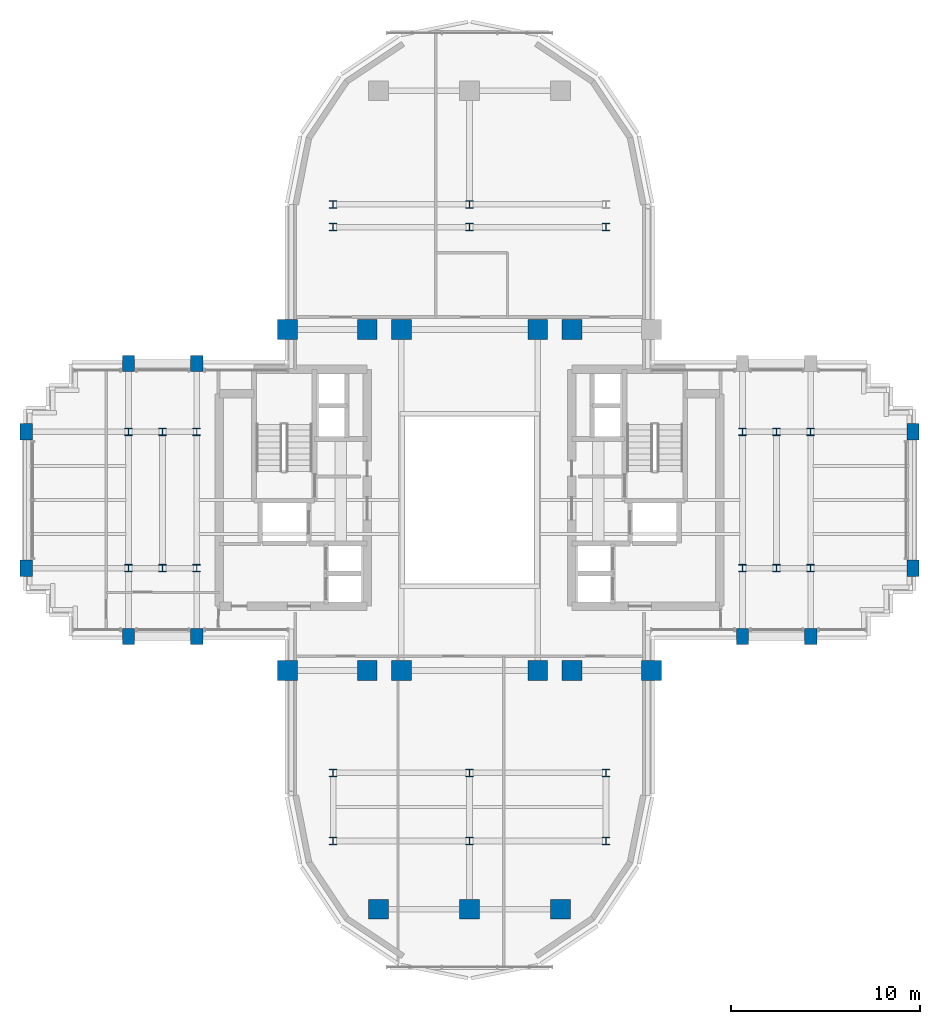
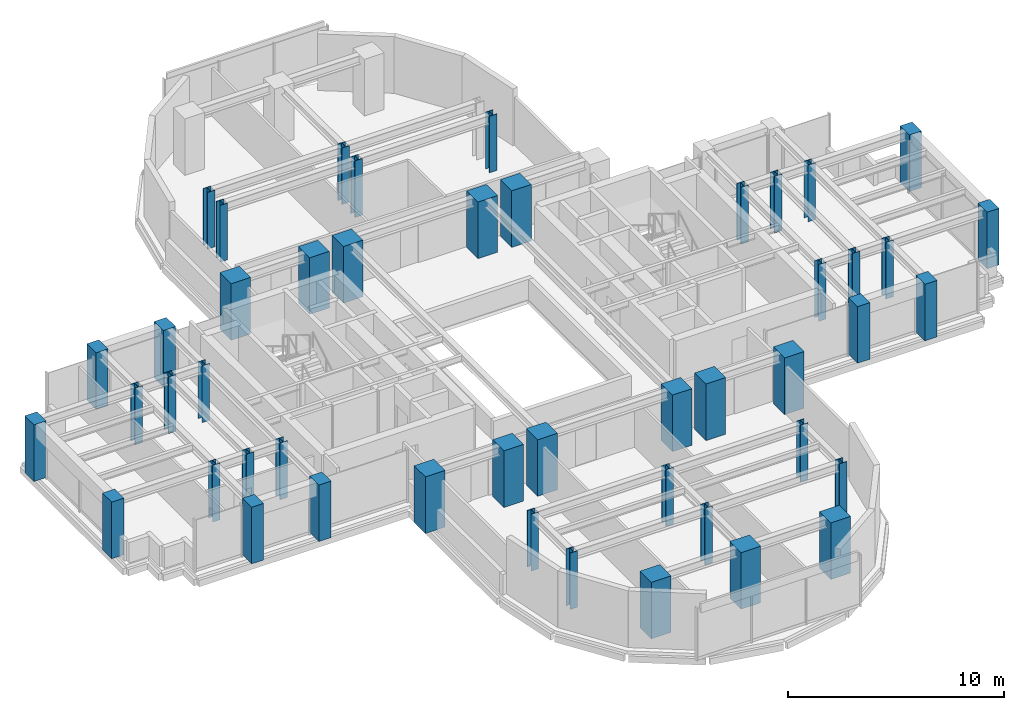
# One storey, part 1 of 13: 47 columns.
"""IFC4 building model written with IfcOpenShell, lengths in metres."""

from ifc_helpers import new_model, si_unit, direction, frame, origin, origin_2d, place, context, subcontext, project, spatial, rectangle, i_section, extrude, source, transform, mapped, material, material_profile, profile_set, type_object, element, save


model = new_model("IFC4")

# Units and contexts
model_context = context("Model", 3, precision=1e-05, world=origin(), true_north=direction((0.0, 1.0)))
body_context = subcontext(model_context, "Body", "Model", "MODEL_VIEW")
ifc_project = project(units=[si_unit("LENGTHUNIT", "METRE"), si_unit("AREAUNIT", "SQUARE_METRE"), si_unit("VOLUMEUNIT", "CUBIC_METRE"), si_unit("PLANEANGLEUNIT", "RADIAN"), si_unit("MASSUNIT", "GRAM", prefix="KILO")], contexts=[model_context])

# Site, building, storey
site_placement = place(None, origin())
site = spatial("IfcSite", under=ifc_project, at=site_placement, CompositionType="ELEMENT")
building_placement = place(site_placement, origin())
building = spatial("IfcBuilding", under=site, at=building_placement, Name="Keilestroom Media Tower", CompositionType="ELEMENT")
storey_placement = place(building_placement, frame((0.0, 0.0, 144.800048828125)))
storey = spatial("IfcBuildingStorey", under=building, at=storey_placement, Name="L39", CompositionType="ELEMENT", Elevation=144.800048828125)

# Columns
ifc_material_1 = material(Name="Precast concrete C40/50", Category="concrete")
ifc_material_profile_1 = material_profile(ifc_material_1, rectangle(XDim=0.64990234375, YDim=0.85009765625, at=origin_2d()), Name="PC 850x650")
ifc_profile_set_1 = profile_set([ifc_material_profile_1], Name="Precast concrete C40/50")
column_type_1 = type_object("IfcColumnType", Name="Structural-Column-PC-850x650", PredefinedType="COLUMN", material=ifc_profile_set_1)
shared_shape_1 = source(origin(), body_context, "Body", "SweptSolid", [
    extrude(rectangle(XDim=0.64990234375, YDim=0.85009765625, at=origin_2d()), origin(), (0.0, 0.0, 1.0), 3.199951171875),
])
for number, where, z_axis, x_axis, name in (
    (1, (-23.39990234375, -3.60009765625, 0.0), (0.0, 0.0, 1.0), (1.0, 0.0, 0.0), "L39 Column PC-2 (-23.4,-3.6)"),
    (2, (-23.39990234375, 3.60009765625, 0.0), (0.0, 0.0, 1.0), (1.0, 0.0, 0.0), "L39 Column PC-2 (-23.4,+3.6)"),
    (3, (-18.0, -7.199951171875, 0.0), (0.0, 0.0, 1.0), (1.0, 0.0, 0.0), "L39 Column PC-2 (-18.0,-7.2)"),
    (4, (-18.0, 7.199951171875, 0.0), (0.0, 0.0, 1.0), (1.0, 0.0, 0.0), "L39 Column PC-2 (-18.0,+7.2)"),
    (5, (-14.39990234375, -7.199951171875, 0.0), (0.0, 0.0, 1.0), (1.0, 0.0, 0.0), "L39 Column PC-2 (-14.4,-7.2)"),
    (6, (-14.39990234375, 7.199951171875, 0.0), (0.0, 0.0, 1.0), (1.0, 0.0, 0.0), "L39 Column PC-2 (-14.4,+7.2)"),
    (7, (14.39990234375, -7.199951171875, 0.0), (0.0, 0.0, 1.0), (1.0, 0.0, 0.0), "L39 Column PC-2 (+14.4,-7.2)"),
    (8, (18.0, -7.199951171875, 0.0), (0.0, 0.0, 1.0), (1.0, 0.0, 0.0), "L39 Column PC-2 (+18.0,-7.2)"),
    (9, (23.39990234375, -3.60009765625, 0.0), (0.0, 0.0, 1.0), (1.0, 0.0, 0.0), "L39 Column PC-2 (+23.4,-3.6)"),
    (10, (23.39990234375, 3.60009765625, 0.0), (0.0, 0.0, 1.0), (1.0, 0.0, 0.0), "L39 Column PC-2 (+23.4,+3.6)"),
):
    element("IfcColumn", number, at=place(storey_placement, frame(where, z_axis=z_axis, x_axis=x_axis)), inside=storey, type_object=column_type_1, Name=name, PredefinedType="COLUMN", context=body_context, shape_type="MappedRepresentation", body=[
        mapped(shared_shape_1, transform((0.0, 0.0, 0.0), x_axis=(1.0, 0.0, 0.0), y_axis=(0.0, 1.0, 0.0), z_axis=(0.0, 0.0, 1.0), scale=1.0)),
    ])
ifc_material_2 = material(Name="Steel S355", Category="steel")
ifc_material_profile_2 = material_profile(ifc_material_2, i_section(OverallWidth=0.40087890625, OverallDepth=0.39892578125, WebThickness=0.02001953125, FlangeThickness=0.031982421875, at=origin_2d()), Name="HD 400x314")
ifc_profile_set_2 = profile_set([ifc_material_profile_2], Name="Steel S355")
column_type_2 = type_object("IfcColumnType", Name="Structural-Column-HD-400x314", PredefinedType="COLUMN", material=ifc_profile_set_2)
shared_shape_2 = source(origin(), body_context, "Body", "SweptSolid", [
    extrude(i_section(OverallWidth=0.40087890625, OverallDepth=0.39892578125, WebThickness=0.02001953125, FlangeThickness=0.031982421875, at=origin_2d()), origin(), (0.0, 0.0, 1.0), 3.199951171875),
])
for number, where, z_axis, x_axis, name in (
    (11, (-18.0, -3.60009765625, 0.0), (0.0, 0.0, 1.0), (1.0, 0.0, 0.0), "L39 Column SC-3 (-18.0,-3.6)"),
    (12, (-18.0, 3.60009765625, 0.0), (0.0, 0.0, 1.0), (1.0, 0.0, 0.0), "L39 Column SC-3 (-18.0,+3.6)"),
    (13, (-16.199951171875, -3.60009765625, 0.0), (0.0, 0.0, 1.0), (1.0, 0.0, 0.0), "L39 Column SC-3 (-16.2,-3.6)"),
    (14, (-16.199951171875, 3.60009765625, 0.0), (0.0, 0.0, 1.0), (1.0, 0.0, 0.0), "L39 Column SC-3 (-16.2,+3.6)"),
    (15, (-14.39990234375, -3.60009765625, 0.0), (0.0, 0.0, 1.0), (1.0, 0.0, 0.0), "L39 Column SC-3 (-14.4,-3.6)"),
    (16, (-14.39990234375, 3.60009765625, 0.0), (0.0, 0.0, 1.0), (1.0, 0.0, 0.0), "L39 Column SC-3 (-14.4,+3.6)"),
    (17, (-7.199951171875, -18.0, 0.0), (0.0, 0.0, 1.0), (1.0, 0.0, 0.0), "L39 Column SC-3 (-7.2,-18.0)"),
    (18, (-7.199951171875, -14.39990234375, 0.0), (0.0, 0.0, 1.0), (1.0, 0.0, 0.0), "L39 Column SC-3 (-7.2,-14.4)"),
    (19, (-7.199951171875, 14.39990234375, 0.0), (0.0, 0.0, 1.0), (1.0, 0.0, 0.0), "L39 Column SC-3 (-7.2,+14.4)"),
    (20, (-7.199951171875, 15.60009765625, 0.0), (0.0, 0.0, 1.0), (1.0, 0.0, 0.0), "L39 Column SC-3 (-7.2,+15.6)"),
    (21, (0.0, -18.0, 0.0), (0.0, 0.0, 1.0), (1.0, 0.0, 0.0), "L39 Column SC-3 (+0.0,-18.0)"),
    (22, (0.0, -14.39990234375, 0.0), (0.0, 0.0, 1.0), (1.0, 0.0, 0.0), "L39 Column SC-3 (+0.0,-14.4)"),
    (23, (0.0, 14.39990234375, 0.0), (0.0, 0.0, 1.0), (1.0, 0.0, 0.0), "L39 Column SC-3 (+0.0,+14.4)"),
    (24, (0.0, 15.60009765625, 0.0), (0.0, 0.0, 1.0), (1.0, 0.0, 0.0), "L39 Column SC-3 (+0.0,+15.6)"),
    (25, (7.199951171875, -18.0, 0.0), (0.0, 0.0, 1.0), (1.0, 0.0, 0.0), "L39 Column SC-3 (+7.2,-18.0)"),
    (26, (7.199951171875, -14.39990234375, 0.0), (0.0, 0.0, 1.0), (1.0, 0.0, 0.0), "L39 Column SC-3 (+7.2,-14.4)"),
    (27, (7.199951171875, 14.39990234375, 0.0), (0.0, 0.0, 1.0), (1.0, 0.0, 0.0), "L39 Column SC-3 (+7.2,+14.4)"),
    (28, (14.39990234375, -3.60009765625, 0.0), (0.0, 0.0, 1.0), (1.0, 0.0, 0.0), "L39 Column SC-3 (+14.4,-3.6)"),
    (29, (14.39990234375, 3.60009765625, 0.0), (0.0, 0.0, 1.0), (1.0, 0.0, 0.0), "L39 Column SC-3 (+14.4,+3.6)"),
    (30, (16.199951171875, -3.60009765625, 0.0), (0.0, 0.0, 1.0), (1.0, 0.0, 0.0), "L39 Column SC-3 (+16.2,-3.6)"),
    (31, (16.199951171875, 3.60009765625, 0.0), (0.0, 0.0, 1.0), (1.0, 0.0, 0.0), "L39 Column SC-3 (+16.2,+3.6)"),
    (32, (18.0, -3.60009765625, 0.0), (0.0, 0.0, 1.0), (1.0, 0.0, 0.0), "L39 Column SC-3 (+18.0,-3.6)"),
    (33, (18.0, 3.60009765625, 0.0), (0.0, 0.0, 1.0), (1.0, 0.0, 0.0), "L39 Column SC-3 (+18.0,+3.6)"),
):
    element("IfcColumn", number, at=place(storey_placement, frame(where, z_axis=z_axis, x_axis=x_axis)), inside=storey, type_object=column_type_2, Name=name, PredefinedType="COLUMN", context=body_context, shape_type="MappedRepresentation", body=[
        mapped(shared_shape_2, transform((0.0, 0.0, 0.0), x_axis=(1.0, 0.0, 0.0), y_axis=(0.0, 1.0, 0.0), z_axis=(0.0, 0.0, 1.0), scale=1.0)),
    ])
ifc_material_3 = material(Name="Concrete C55/67", Category="concrete")
ifc_material_profile_3 = material_profile(ifc_material_3, rectangle(XDim=1.050048828125, YDim=1.050048828125, at=origin_2d()), Name="RC 1050x1050")
ifc_profile_set_3 = profile_set([ifc_material_profile_3], Name="Concrete C55/67")
column_type_3 = type_object("IfcColumnType", Name="Structural-Column-RC-1050x1050", PredefinedType="COLUMN", material=ifc_profile_set_3)
shared_shape_3 = source(origin(), body_context, "Body", "SweptSolid", [
    extrude(rectangle(XDim=1.050048828125, YDim=1.050048828125, at=origin_2d()), origin(), (0.0, 0.0, 1.0), 3.199951171875),
])
for number, where, z_axis, x_axis, name in (
    (34, (-9.60009765625, -9.0, 0.0), (0.0, 0.0, 1.0), (1.0, 0.0, 0.0), "L39 Column MC-3 (-9.6,-9.0)"),
    (35, (-9.60009765625, 9.0, 0.0), (0.0, 0.0, 1.0), (1.0, 0.0, 0.0), "L39 Column MC-3 (-9.6,+9.0)"),
    (36, (-5.39990234375, -9.0, 0.0), (0.0, 0.0, 1.0), (1.0, 0.0, 0.0), "L39 Column MC-3 (-5.4,-9.0)"),
    (37, (-5.39990234375, 9.0, 0.0), (0.0, 0.0, 1.0), (1.0, 0.0, 0.0), "L39 Column MC-3 (-5.4,+9.0)"),
    (38, (-4.800048828125, -21.60009765625, 0.0), (0.0, 0.0, 1.0), (1.0, 0.0, 0.0), "L39 Column MC-3 (-4.8,-21.6)"),
    (39, (-3.60009765625, -9.0, 0.0), (0.0, 0.0, 1.0), (1.0, 0.0, 0.0), "L39 Column MC-3 (-3.6,-9.0)"),
    (40, (-3.60009765625, 9.0, 0.0), (0.0, 0.0, 1.0), (1.0, 0.0, 0.0), "L39 Column MC-3 (-3.6,+9.0)"),
    (41, (0.0, -21.60009765625, 0.0), (0.0, 0.0, 1.0), (1.0, 0.0, 0.0), "L39 Column MC-3 (+0.0,-21.6)"),
    (42, (3.60009765625, -9.0, 0.0), (0.0, 0.0, 1.0), (1.0, 0.0, 0.0), "L39 Column MC-3 (+3.6,-9.0)"),
    (43, (3.60009765625, 9.0, 0.0), (0.0, 0.0, 1.0), (1.0, 0.0, 0.0), "L39 Column MC-3 (+3.6,+9.0)"),
    (44, (4.800048828125, -21.60009765625, 0.0), (0.0, 0.0, 1.0), (1.0, 0.0, 0.0), "L39 Column MC-3 (+4.8,-21.6)"),
    (45, (5.39990234375, -9.0, 0.0), (0.0, 0.0, 1.0), (1.0, 0.0, 0.0), "L39 Column MC-3 (+5.4,-9.0)"),
    (46, (5.39990234375, 9.0, 0.0), (0.0, 0.0, 1.0), (1.0, 0.0, 0.0), "L39 Column MC-3 (+5.4,+9.0)"),
    (47, (9.60009765625, -9.0, 0.0), (0.0, 0.0, 1.0), (1.0, 0.0, 0.0), "L39 Column MC-3 (+9.6,-9.0)"),
):
    element("IfcColumn", number, at=place(storey_placement, frame(where, z_axis=z_axis, x_axis=x_axis)), inside=storey, type_object=column_type_3, Name=name, PredefinedType="COLUMN", context=body_context, shape_type="MappedRepresentation", body=[
        mapped(shared_shape_3, transform((0.0, 0.0, 0.0), x_axis=(1.0, 0.0, 0.0), y_axis=(0.0, 1.0, 0.0), z_axis=(0.0, 0.0, 1.0), scale=1.0)),
    ])

save(model, "model.ifc")
